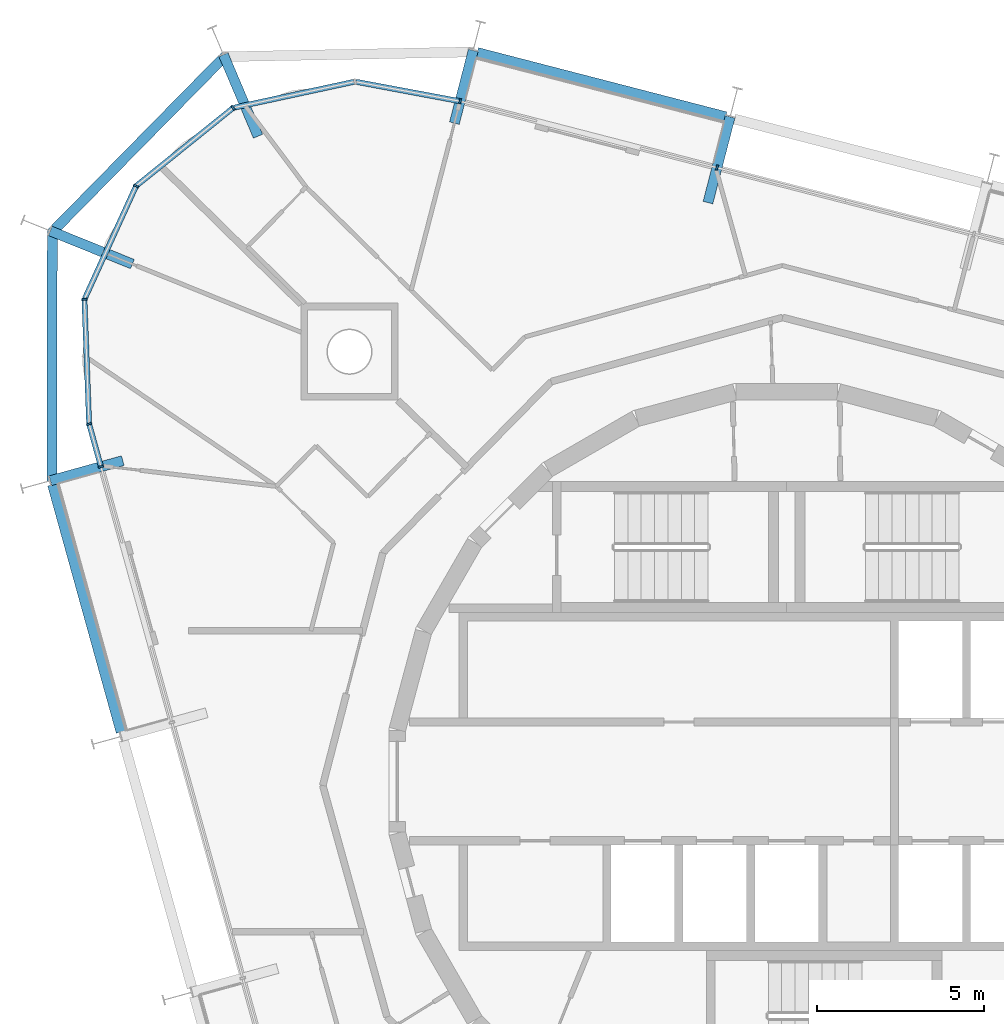
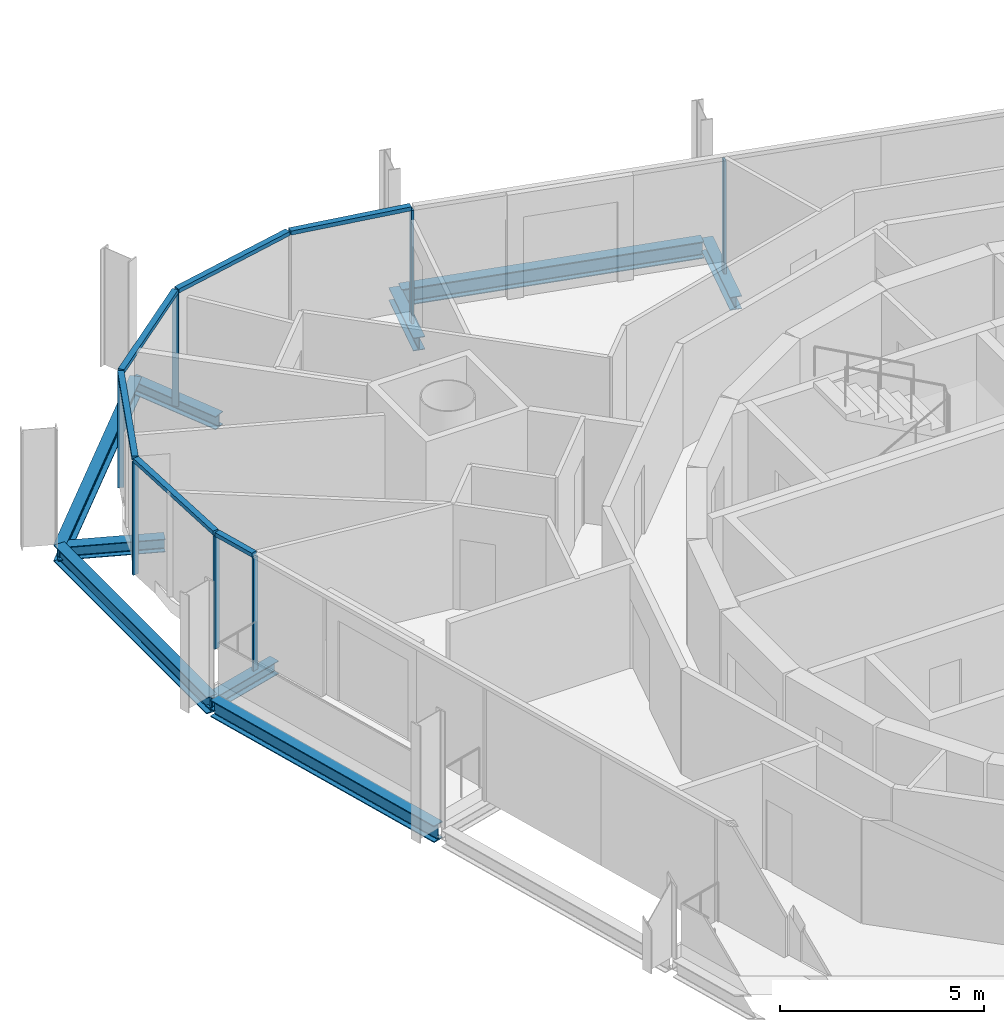
# One storey, part 5 of 15: 13 members, 9 beams, 3 elements without a shape of their own.
"""IFC4 building model written with IfcOpenShell, lengths in metres."""

from ifc_helpers import new_model, si_unit, direction, frame, origin, origin_2d, place, context, subcontext, project, spatial, rectangle, i_section, extrude, material, layer, layer_set, material_profile, profile_set, type_object, element, aggregate, save


model = new_model("IFC4")

# Units and contexts
model_context = context("Model", 3, precision=1e-05, world=origin(), true_north=direction((0.0, 1.0)))
body_context = subcontext(model_context, "Body", "Model", "MODEL_VIEW")
ifc_project = project(units=[si_unit("LENGTHUNIT", "METRE"), si_unit("AREAUNIT", "SQUARE_METRE"), si_unit("VOLUMEUNIT", "CUBIC_METRE"), si_unit("PLANEANGLEUNIT", "RADIAN"), si_unit("MASSUNIT", "GRAM", prefix="KILO")], contexts=[model_context])

# Site, building, storey
site_placement = place(None, origin())
site = spatial("IfcSite", under=ifc_project, at=site_placement, CompositionType="ELEMENT")
building_placement = place(site_placement, origin())
building = spatial("IfcBuilding", under=site, at=building_placement, Name="Spindle Arch Residences", CompositionType="ELEMENT")
storey_placement = place(building_placement, frame((0.0, 0.0, 315.699951171875)))
storey = spatial("IfcBuildingStorey", under=building, at=storey_placement, Name="L81", CompositionType="ELEMENT", Elevation=315.699951171875)

# Curtain wall, member
ifc_material_1 = material(Name="Aluminium bronze unitised frame with tinted glass", Category="aluminium")
ifc_layer_1 = layer(ifc_material_1, 0.159912109375)
ifc_layer_set_1 = layer_set([ifc_layer_1], Name="CW-C typical residential unitised wall")
curtain_wall_type_1 = type_object("IfcCurtainWallType", Name="CW-C typical residential unitised wall", PredefinedType="NOTDEFINED", material=ifc_layer_set_1)
curtain_wall_1_placement = place(storey_placement, origin())
curtain_wall_1 = element("IfcCurtainWall", 1, at=curtain_wall_1_placement, inside=storey, type_object=curtain_wall_type_1, Name="CW-C L81 run 2", PredefinedType="NOTDEFINED")
ifc_material_2 = material(Name="Aluminium bronze anodised mullion", Category="aluminium")
ifc_material_profile_1 = material_profile(ifc_material_2, rectangle(XDim=0.159912109375, YDim=0.06005859375, at=origin_2d()), Name="MU 60x160")
ifc_profile_set_1 = profile_set([ifc_material_profile_1], Name="Aluminium bronze anodised mullion")
member_type_1 = type_object("IfcMemberType", Name="Bronze mullion 60x160", PredefinedType="MULLION", material=ifc_profile_set_1)
member_1_placement = place(storey_placement, frame((-2.084228515625, 18.35107421875, -0.3798828125), z_axis=(0.0, 0.0, 1.0), x_axis=(-0.250380004054, -0.968147640378, 0.0)))
member_1 = element("IfcMember", 2, at=member_1_placement, type_object=member_type_1, Name="CW-C mullion 07", PredefinedType="MULLION", context=body_context, shape_type="SweptSolid", body=[
    extrude(rectangle(XDim=0.159912109375, YDim=0.06005859375, at=origin_2d()), origin(), (0.0, 0.0, 1.0), 3.3798828125),
])
aggregate(curtain_wall_1, [member_1])

# Curtain wall, members
ifc_material_3 = material(Name="Aluminium bronze unitised frame with tinted glass", Category="aluminium")
ifc_layer_2 = layer(ifc_material_3, 0.159912109375)
ifc_layer_set_2 = layer_set([ifc_layer_2], Name="CW-D corner wall on the fillet arcs")
curtain_wall_type_2 = type_object("IfcCurtainWallType", Name="CW-D corner wall on the fillet arcs", PredefinedType="NOTDEFINED", material=ifc_layer_set_2)
curtain_wall_2_placement = place(storey_placement, origin())
curtain_wall_2 = element("IfcCurtainWall", 3, at=curtain_wall_2_placement, inside=storey, type_object=curtain_wall_type_2, Name="CW-D L81 run 3", PredefinedType="NOTDEFINED")
member_2_placement = place(storey_placement, frame((-9.7666015625, 20.337890625, -0.3798828125), z_axis=(0.0, 0.0, 1.0), x_axis=(-0.183837217301, -0.98295670176, 0.0)))
member_2 = element("IfcMember", 4, at=member_2_placement, type_object=member_type_1, Name="CW-D mullion 00", PredefinedType="MULLION", context=body_context, shape_type="SweptSolid", body=[
    extrude(rectangle(XDim=0.159912109375, YDim=0.06005859375, at=origin_2d()), origin(), (0.0, 0.0, 1.0), 3.3798828125),
])
member_3_placement = place(storey_placement, frame((-16.5517578125, 20.14013671875, -0.3798828125), z_axis=(0.0, 0.0, 1.0), x_axis=(0.627057107401, -0.778973288411, 0.0)))
member_3 = element("IfcMember", 5, at=member_3_placement, type_object=member_type_1, Name="CW-D mullion 02", PredefinedType="MULLION", context=body_context, shape_type="SweptSolid", body=[
    extrude(rectangle(XDim=0.159912109375, YDim=0.06005859375, at=origin_2d()), origin(), (0.0, 0.0, 1.0), 3.3798828125),
])
member_4_placement = place(storey_placement, frame((-19.454833984375, 17.80322265625, -0.3798828125), z_axis=(0.0, 0.0, 1.0), x_axis=(0.9099612694, -0.414693245896, 0.0)))
member_4 = element("IfcMember", 6, at=member_4_placement, type_object=member_type_1, Name="CW-D mullion 03", PredefinedType="MULLION", context=body_context, shape_type="SweptSolid", body=[
    extrude(rectangle(XDim=0.159912109375, YDim=0.06005859375, at=origin_2d()), origin(), (0.0, 0.0, 1.0), 3.3798828125),
])
member_5_placement = place(storey_placement, frame((-21.00048828125, 14.411865234375, -0.3798828125), z_axis=(0.0, 0.0, 1.0), x_axis=(0.999285080405, 0.037806455536, 0.0)))
member_5 = element("IfcMember", 7, at=member_5_placement, type_object=member_type_1, Name="CW-D mullion 04", PredefinedType="MULLION", context=body_context, shape_type="SweptSolid", body=[
    extrude(rectangle(XDim=0.159912109375, YDim=0.06005859375, at=origin_2d()), origin(), (0.0, 0.0, 1.0), 3.3798828125),
])
member_6_placement = place(storey_placement, frame((-20.859375, 10.687744140625, -0.3798828125), z_axis=(0.0, 0.0, 1.0), x_axis=(0.963630453209, 0.267238376078, 0.0)))
member_6 = element("IfcMember", 8, at=member_6_placement, type_object=member_type_1, Name="CW-D mullion 05", PredefinedType="MULLION", context=body_context, shape_type="SweptSolid", body=[
    extrude(rectangle(XDim=0.159912109375, YDim=0.06005859375, at=origin_2d()), origin(), (0.0, 0.0, 1.0), 3.3798828125),
])

# Curtain wall, member
curtain_wall_3_placement = place(storey_placement, origin())
curtain_wall_3 = element("IfcCurtainWall", 9, at=curtain_wall_3_placement, inside=storey, type_object=curtain_wall_type_1, Name="CW-C L81 run 4", PredefinedType="NOTDEFINED")
member_7_placement = place(storey_placement, frame((-20.505126953125, 9.41015625, -0.3798828125), z_axis=(0.0, 0.0, 1.0), x_axis=(0.963630453209, 0.267238376078, 0.0)))
member_7 = element("IfcMember", 10, at=member_7_placement, type_object=member_type_1, Name="CW-C mullion 11", PredefinedType="MULLION", context=body_context, shape_type="SweptSolid", body=[
    extrude(rectangle(XDim=0.159912109375, YDim=0.06005859375, at=origin_2d()), origin(), (0.0, 0.0, 1.0), 3.3798828125),
])
aggregate(curtain_wall_3, [member_7])

# Member
ifc_material_4 = material(Name="Aluminium bronze anodised transom", Category="aluminium")
ifc_material_profile_2 = material_profile(ifc_material_4, rectangle(XDim=0.159912109375, YDim=0.1201171875, at=origin_2d()), Name="TR 120x160")
ifc_profile_set_2 = profile_set([ifc_material_profile_2], Name="Aluminium bronze anodised transom")
member_type_2 = type_object("IfcMemberType", Name="Bronze transom 120x160", PredefinedType="USERDEFINED", material=ifc_profile_set_2)
member_8_placement = place(storey_placement, frame((-9.796142578125, 20.34326171875, 3.06005859375), z_axis=(-0.982955792974, 0.183842076412, 0.0), x_axis=(-0.183842076412, -0.982955792974, 0.0)))
member_8 = element("IfcMember", 11, at=member_8_placement, type_object=member_type_2, Name="CW-D transom 00", ObjectType="TRANSOM", PredefinedType="USERDEFINED", context=body_context, shape_type="SweptSolid", body=[
    extrude(rectangle(XDim=0.159912109375, YDim=0.1201171875, at=origin_2d()), origin(), (0.0, 0.0, 1.0), 3.13671875),
])

member_9_placement = place(storey_placement, frame((-12.938232421875, 20.919189453125, 3.06005859375), z_axis=(-0.977527770532, -0.210806683571, 0.0), x_axis=(0.210806683571, -0.977527770532, 0.0)))
member_9 = element("IfcMember", 12, at=member_9_placement, type_object=member_type_2, Name="CW-D transom 01", ObjectType="TRANSOM", PredefinedType="USERDEFINED", context=body_context, shape_type="SweptSolid", body=[
    extrude(rectangle(XDim=0.159912109375, YDim=0.1201171875, at=origin_2d()), origin(), (0.0, 0.0, 1.0), 3.66650390625),
])

member_10_placement = place(storey_placement, frame((-16.5751953125, 20.121337890625, 3.06005859375), z_axis=(-0.778981543265, -0.627046852518, 0.0), x_axis=(0.627046852518, -0.778981543265, 0.0)))
member_10 = element("IfcMember", 13, at=member_10_placement, type_object=member_type_2, Name="CW-D transom 02", ObjectType="TRANSOM", PredefinedType="USERDEFINED", context=body_context, shape_type="SweptSolid", body=[
    extrude(rectangle(XDim=0.159912109375, YDim=0.1201171875, at=origin_2d()), origin(), (0.0, 0.0, 1.0), 3.6669921875),
])

member_11_placement = place(storey_placement, frame((-19.46728515625, 17.77587890625, 3.06005859375), z_axis=(-0.414725728642, -0.90994646546, 0.0), x_axis=(0.90994646546, -0.414725728642, 0.0)))
member_11 = element("IfcMember", 14, at=member_11_placement, type_object=member_type_2, Name="CW-D transom 03", ObjectType="TRANSOM", PredefinedType="USERDEFINED", context=body_context, shape_type="SweptSolid", body=[
    extrude(rectangle(XDim=0.159912109375, YDim=0.1201171875, at=origin_2d()), origin(), (0.0, 0.0, 1.0), 3.6669921875),
])

member_12_placement = place(storey_placement, frame((-20.999267578125, 14.382080078125, 3.06005859375), z_axis=(0.03781688996, -0.99928468558, 0.0), x_axis=(0.99928468558, 0.03781688996, 0.0)))
member_12 = element("IfcMember", 15, at=member_12_placement, type_object=member_type_2, Name="CW-D transom 04", ObjectType="TRANSOM", PredefinedType="USERDEFINED", context=body_context, shape_type="SweptSolid", body=[
    extrude(rectangle(XDim=0.159912109375, YDim=0.1201171875, at=origin_2d()), origin(), (0.0, 0.0, 1.0), 3.6669921875),
])

member_13_placement = place(storey_placement, frame((-20.8515625, 10.658935546875, 3.06005859375), z_axis=(0.267275846412, -0.963620060981, 0.0), x_axis=(0.963620060981, 0.267275846412, 0.0)))
member_13 = element("IfcMember", 16, at=member_13_placement, type_object=member_type_2, Name="CW-D transom 05", ObjectType="TRANSOM", PredefinedType="USERDEFINED", context=body_context, shape_type="SweptSolid", body=[
    extrude(rectangle(XDim=0.159912109375, YDim=0.1201171875, at=origin_2d()), origin(), (0.0, 0.0, 1.0), 1.26611328125),
])

aggregate(curtain_wall_2, [member_2, member_8, member_9, member_3, member_10, member_4, member_11, member_5, member_12, member_6, member_13])

# Beams
ifc_material_5 = material(Name="Steel S460ML, intumescent coating R 120", Category="steel")
ifc_material_profile_3 = material_profile(ifc_material_5, i_section(OverallWidth=0.300048828125, OverallDepth=0.5, WebThickness=0.014404296875, FlangeThickness=0.028076171875, FilletRadius=0.027099609375, at=origin_2d()), Name="HEB 500")
ifc_profile_set_3 = profile_set([ifc_material_profile_3], Name="Steel S460ML, intumescent coating R 120")
beam_type_1 = type_object("IfcBeamType", Name="Exoskeleton edge beam HEB 500", PredefinedType="BEAM", material=ifc_profile_set_3)
beam_1_placement = place(storey_placement, frame((-1.824462890625, 19.87451171875, -0.6298828125), z_axis=(-0.968149836341, 0.250371512743, 0.0), x_axis=(-0.250371512743, -0.968149836341, 0.0)))
element("IfcBeam", 17, at=beam_1_placement, inside=storey, type_object=beam_type_1, Name="Exoskeleton edge beam 8", PredefinedType="BEAM", context=body_context, shape_type="SweptSolid", body=[
    extrude(i_section(OverallWidth=0.300048828125, OverallDepth=0.5, WebThickness=0.014404296875, FlangeThickness=0.028076171875, FilletRadius=0.027099609375, at=origin_2d()), origin(), (0.0, 0.0, 1.0), 7.675048828125),
])
beam_2_placement = place(storey_placement, frame((-16.767333984375, 21.715576171875, -0.6298828125), z_axis=(-0.700904877176, -0.713254760342, 0.0), x_axis=(0.713254760342, -0.700904877176, 0.0)))
element("IfcBeam", 18, at=beam_2_placement, inside=storey, type_object=beam_type_1, Name="Exoskeleton edge beam 10", PredefinedType="BEAM", context=body_context, shape_type="SweptSolid", body=[
    extrude(i_section(OverallWidth=0.300048828125, OverallDepth=0.5, WebThickness=0.014404296875, FlangeThickness=0.028076171875, FilletRadius=0.027099609375, at=origin_2d()), origin(), (0.0, 0.0, 1.0), 7.47265625),
])
beam_3_placement = place(storey_placement, frame((-21.95947265625, 16.472412109375, -0.6298828125), z_axis=(-0.001692871227, -0.999998567092, 0.0), x_axis=(0.999998567092, -0.001692871227, 0.0)))
element("IfcBeam", 19, at=beam_3_placement, inside=storey, type_object=beam_type_1, Name="Exoskeleton edge beam 11", PredefinedType="BEAM", context=body_context, shape_type="SweptSolid", body=[
    extrude(i_section(OverallWidth=0.300048828125, OverallDepth=0.5, WebThickness=0.014404296875, FlangeThickness=0.028076171875, FilletRadius=0.027099609375, at=origin_2d()), origin(), (0.0, 0.0, 1.0), 7.499267578125),
])
beam_4_placement = place(storey_placement, frame((-21.954345703125, 8.873291015625, -0.6298828125), z_axis=(0.26723040865, -0.963632662737, 0.0), x_axis=(0.963632662737, 0.26723040865, 0.0)))
element("IfcBeam", 20, at=beam_4_placement, inside=storey, type_object=beam_type_1, Name="Exoskeleton edge beam 12", PredefinedType="BEAM", context=body_context, shape_type="SweptSolid", body=[
    extrude(i_section(OverallWidth=0.300048828125, OverallDepth=0.5, WebThickness=0.014404296875, FlangeThickness=0.028076171875, FilletRadius=0.027099609375, at=origin_2d()), origin(), (0.0, 0.0, 1.0), 7.675048828125),
])
ifc_material_6 = material(Name="Steel S460ML, intumescent coating R 120", Category="steel")
ifc_material_profile_4 = material_profile(ifc_material_6, i_section(OverallWidth=0.300048828125, OverallDepth=0.389892578125, WebThickness=0.010986328125, FlangeThickness=0.01904296875, FilletRadius=0.027099609375, at=origin_2d()), Name="HEA 400")
ifc_profile_set_4 = profile_set([ifc_material_profile_4], Name="Steel S460ML, intumescent coating R 120")
beam_type_2 = type_object("IfcBeamType", Name="Floor outrigger HEA 400", PredefinedType="BEAM", material=ifc_profile_set_4)
beam_5_placement = place(storey_placement, frame((-1.691162109375, 19.87109375, -0.574951171875), z_axis=(-0.250396221036, -0.968143446237, 0.0), x_axis=(0.968143446237, -0.250396221036, 0.0)))
element("IfcBeam", 21, at=beam_5_placement, inside=storey, type_object=beam_type_2, Name="Floor outrigger 8", PredefinedType="BEAM", context=body_context, shape_type="SweptSolid", body=[
    extrude(i_section(OverallWidth=0.300048828125, OverallDepth=0.389892578125, WebThickness=0.010986328125, FlangeThickness=0.01904296875, FilletRadius=0.027099609375, at=origin_2d()), origin(), (0.0, 0.0, 1.0), 2.650146484375),
])
beam_6_placement = place(storey_placement, frame((-9.37353515625, 21.857666015625, -0.574951171875), z_axis=(-0.250347717753, -0.968155989609, 0.0), x_axis=(0.968155989609, -0.250347717753, 0.0)))
element("IfcBeam", 22, at=beam_6_placement, inside=storey, type_object=beam_type_2, Name="Floor outrigger 9", PredefinedType="BEAM", context=body_context, shape_type="SweptSolid", body=[
    extrude(i_section(OverallWidth=0.300048828125, OverallDepth=0.389892578125, WebThickness=0.010986328125, FlangeThickness=0.01904296875, FilletRadius=0.027099609375, at=origin_2d()), origin(), (0.0, 0.0, 1.0), 2.247802734375),
])
for number, where, z_axis, x_axis, name in (
    (23, (-16.8427734375, 21.73046875, -0.574951171875), (0.390625555943, -0.920549659195, 0.0), (0.920549659195, 0.390625555943, 0.0), "Floor outrigger 10"),
    (24, (-22.02099609375, 16.4609375, -0.574951171875), (0.927219688575, -0.374517888917, 0.0), (0.374517888917, 0.927219688575, 0.0), "Floor outrigger 11"),
):
    element("IfcBeam", number, at=place(storey_placement, frame(where, z_axis=z_axis, x_axis=x_axis)), inside=storey, type_object=beam_type_2, Name=name, PredefinedType="BEAM", context=body_context, shape_type="SweptSolid", body=[
        extrude(i_section(OverallWidth=0.300048828125, OverallDepth=0.389892578125, WebThickness=0.010986328125, FlangeThickness=0.01904296875, FilletRadius=0.027099609375, at=origin_2d()), origin(), (0.0, 0.0, 1.0), 2.64990234375),
    ])
beam_7_placement = place(storey_placement, frame((-22.01806640625, 8.990478515625, -0.574951171875), z_axis=(0.963622081643, 0.267268561132, 0.0), x_axis=(-0.267268561132, 0.963622081643, 0.0)))
element("IfcBeam", 25, at=beam_7_placement, inside=storey, type_object=beam_type_2, Name="Floor outrigger 12", PredefinedType="BEAM", context=body_context, shape_type="SweptSolid", body=[
    extrude(i_section(OverallWidth=0.300048828125, OverallDepth=0.389892578125, WebThickness=0.010986328125, FlangeThickness=0.01904296875, FilletRadius=0.027099609375, at=origin_2d()), origin(), (0.0, 0.0, 1.0), 2.248046875),
])

save(model, "model.ifc")
